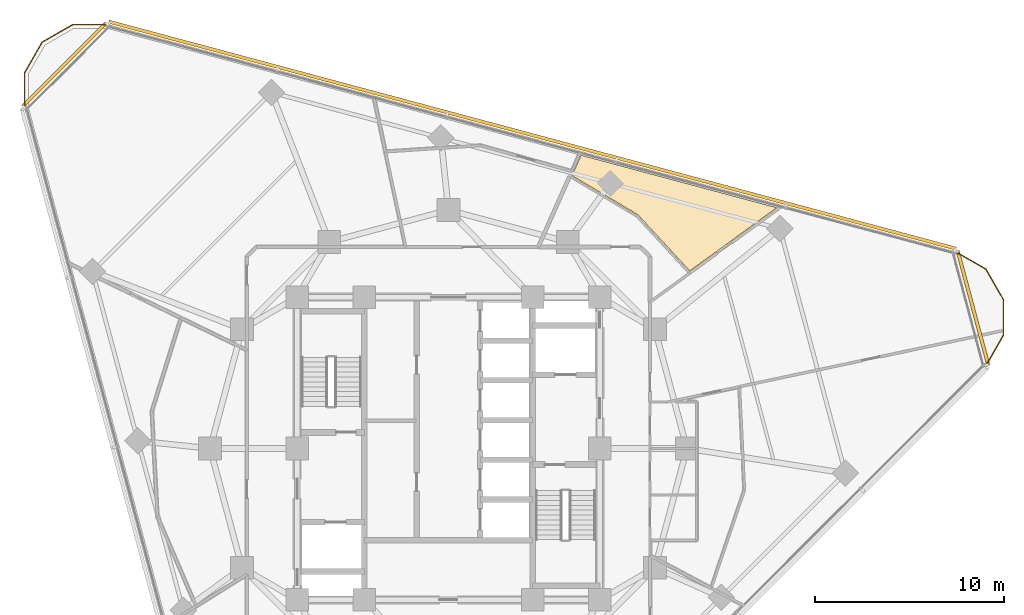
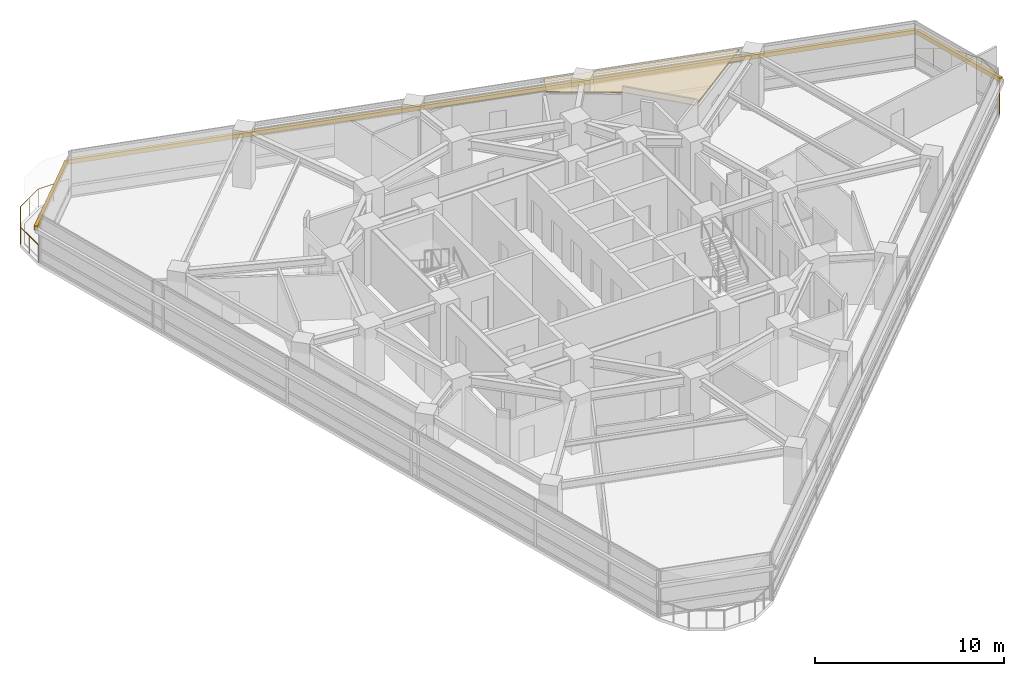
# One storey, part 14 of 14: 3 shading devices, 2 railings, 1 covering.
"""IFC4 building model written with IfcOpenShell, lengths in metres."""

from ifc_helpers import new_model, si_unit, direction, frame, origin, origin_2d, place, context, subcontext, project, spatial, polyline, rectangle, circle, outline, extrude, material, layer, layer_set, type_object, element, save


model = new_model("IFC4")

# Units and contexts
model_context = context("Model", 3, precision=1e-05, world=origin(), true_north=direction((0.0, 1.0)))
body_context = subcontext(model_context, "Body", "Model", "MODEL_VIEW")
ifc_project = project(units=[si_unit("LENGTHUNIT", "METRE"), si_unit("AREAUNIT", "SQUARE_METRE"), si_unit("VOLUMEUNIT", "CUBIC_METRE"), si_unit("PLANEANGLEUNIT", "RADIAN"), si_unit("MASSUNIT", "GRAM", prefix="KILO")], contexts=[model_context])

# Site, building, storey
site_placement = place(None, origin())
site = spatial("IfcSite", under=ifc_project, at=site_placement, CompositionType="ELEMENT")
building_placement = place(site_placement, origin())
building = spatial("IfcBuilding", under=site, at=building_placement, Name="Terralouvre Media Tower", CompositionType="ELEMENT")
storey_placement = place(building_placement, frame((0.0, 0.0, 184.199951171875)))
storey = spatial("IfcBuildingStorey", under=building, at=storey_placement, Name="L47", CompositionType="ELEMENT", Elevation=184.199951171875)

# Covering
ifc_material_1 = material(Name="Perforated aluminium acoustic ceiling baffle", Category="aluminium")
ifc_layer_1 = layer(ifc_material_1, 0.0400390625, Name="Perforated Acoustic Metal Tile Ceiling CL-AC1")
ifc_layer_set_1 = layer_set([ifc_layer_1], Name="Perforated aluminium acoustic ceiling baffle")
covering_type = type_object("IfcCoveringType", Name="Perforated Acoustic Metal Tile Ceiling CL-AC1", PredefinedType="CEILING", material=ifc_layer_set_1)
covering_placement = place(storey_placement, frame((0.0, 0.0, 2.97998046875), z_axis=(0.0, 0.0, 1.0), x_axis=(0.707106781187, 0.707106781187, 0.0)))
element("IfcCovering", 1, at=covering_placement, inside=storey, type_object=covering_type, Name="L47 Program Schedule Briefing Room 9 Acoustic Ceiling", PredefinedType="CEILING", context=body_context, shape_type="SweptSolid", body=[
    extrude(outline(polyline([(14.818115234375, 5.581298828125), (15.810302734375, 1.676513671875), (15.81201171875, 1.6669921875), (15.813232421875, 1.657470703125), (15.813232421875, 1.64794921875), (15.65478515625, -2.3779296875), (21.26513671875, -3.266845703125), (15.914794921875, 6.001708984375), (15.00390625, 5.652587890625), (14.818115234375, 5.581298828125)])), origin(), (0.0, 0.0, 1.0), 0.0400390625),
])

# Railings
ifc_material_2 = material(Name="Stainless steel 316 handrail and balustrade", Category="steel")
ifc_layer_2 = layer(ifc_material_2, 0.06005859375, Name="Roof Edge Safety Guardrail GR-ROOF1")
ifc_layer_set_2 = layer_set([ifc_layer_2], Name="Stainless steel 316 handrail and balustrade")
railing_type = type_object("IfcRailingType", Name="Roof Edge Safety Guardrail GR-ROOF1", PredefinedType="GUARDRAIL", material=ifc_layer_set_2)
railing_1_placement = place(storey_placement, frame((28.39892578125, 4.365478515625, 0.0)))
element("IfcRailing", 2, at=railing_1_placement, inside=storey, type_object=railing_type, Name="L47 Wind-Corner Perimeter Safety Guardrail C1", PredefinedType="GUARDRAIL", context=body_context, shape_type="SweptSolid", body=[
    extrude(circle(Radius=0.02099609375, at=origin_2d()), frame((0.0, 0.0, 1.12890625), z_axis=(0.500203770141, 0.86590772507, 0.0), x_axis=(-0.86590772507, 0.500203770141, 0.0)), (0.0, 0.0, 1.0), 1.873291015625),
    extrude(circle(Radius=0.02099609375, at=origin_2d()), frame((0.93701171875, 1.6220703125, 1.12890625), z_axis=(0.000130344107, 0.999999991505, 0.0), x_axis=(-0.999999991505, 0.000130344107, 0.0)), (0.0, 0.0, 1.0), 1.873046875),
    extrude(circle(Radius=0.02099609375, at=origin_2d()), frame((0.937255859375, 3.4951171875, 1.12890625), z_axis=(-0.500162491388, 0.86593156901, 0.0), x_axis=(-0.86593156901, -0.500162491388, 0.0)), (0.0, 0.0, 1.0), 1.873046875),
    extrude(circle(Radius=0.02099609375, at=origin_2d()), frame((0.00048828125, 5.116943359375, 1.12890625), z_axis=(-0.866142189219, 0.499797667116, 0.0), x_axis=(-0.499797667116, -0.866142189219, 0.0)), (0.0, 0.0, 1.0), 1.873291015625),
    extrude(circle(Radius=0.01904296875, at=origin_2d()), origin(), (0.0, 0.0, 1.0), 1.10791015625),
    extrude(circle(Radius=0.01904296875, at=origin_2d()), frame((0.468505859375, 0.81103515625, 0.0)), (0.0, 0.0, 1.0), 1.10791015625),
    extrude(circle(Radius=0.01904296875, at=origin_2d()), frame((0.93701171875, 1.6220703125, 0.0)), (0.0, 0.0, 1.0), 1.10791015625),
    extrude(circle(Radius=0.01904296875, at=origin_2d()), frame((0.93701171875, 2.55859375, 0.0)), (0.0, 0.0, 1.0), 1.10791015625),
    extrude(circle(Radius=0.01904296875, at=origin_2d()), frame((0.937255859375, 3.4951171875, 0.0)), (0.0, 0.0, 1.0), 1.10791015625),
    extrude(circle(Radius=0.01904296875, at=origin_2d()), frame((0.46875, 4.30615234375, 0.0)), (0.0, 0.0, 1.0), 1.10791015625),
    extrude(circle(Radius=0.01904296875, at=origin_2d()), frame((0.00048828125, 5.116943359375, 0.0)), (0.0, 0.0, 1.0), 1.10791015625),
    extrude(circle(Radius=0.01904296875, at=origin_2d()), frame((-0.810791015625, 5.5849609375, 0.0)), (0.0, 0.0, 1.0), 1.10791015625),
    extrude(circle(Radius=0.01904296875, at=origin_2d()), frame((-1.6220703125, 6.05322265625, 0.0)), (0.0, 0.0, 1.0), 1.10791015625),
])
railing_2_placement = place(storey_placement, frame((-17.97998046875, 22.411376953125, 0.0)))
element("IfcRailing", 3, at=railing_2_placement, inside=storey, type_object=railing_type, Name="L47 Wind-Corner Perimeter Safety Guardrail C2", PredefinedType="GUARDRAIL", context=body_context, shape_type="SweptSolid", body=[
    extrude(circle(Radius=0.02099609375, at=origin_2d()), frame((0.0, 0.0, 1.12890625), z_axis=(-0.99999996603, 0.000260654233, 0.0), x_axis=(-0.000260654233, -0.99999996603, 0.0)), (0.0, 0.0, 1.0), 1.873291015625),
    extrude(circle(Radius=0.02099609375, at=origin_2d()), frame((-1.873291015625, 0.00048828125, 1.12890625), z_axis=(-0.866109628736, -0.499854089722, 0.0), x_axis=(0.499854089722, -0.866109628736, 0.0)), (0.0, 0.0, 1.0), 1.873046875),
    extrude(circle(Radius=0.02099609375, at=origin_2d()), frame((-3.49560546875, -0.935791015625, 1.12890625), z_axis=(-0.499854089722, -0.866109628736, 0.0), x_axis=(0.866109628736, -0.499854089722, 0.0)), (0.0, 0.0, 1.0), 1.873046875),
    extrude(circle(Radius=0.02099609375, at=origin_2d()), frame((-4.431884765625, -2.55810546875, 1.12890625), z_axis=(0.000260654233, -0.99999996603, 0.0), x_axis=(0.99999996603, 0.000260654233, 0.0)), (0.0, 0.0, 1.0), 1.873291015625),
    extrude(circle(Radius=0.01904296875, at=origin_2d()), origin(), (0.0, 0.0, 1.0), 1.10791015625),
    extrude(circle(Radius=0.01904296875, at=origin_2d()), frame((-0.9365234375, 0.000244140625, 0.0)), (0.0, 0.0, 1.0), 1.10791015625),
    extrude(circle(Radius=0.01904296875, at=origin_2d()), frame((-1.873291015625, 0.00048828125, 0.0)), (0.0, 0.0, 1.0), 1.10791015625),
    extrude(circle(Radius=0.01904296875, at=origin_2d()), frame((-2.6845703125, -0.4677734375, 0.0)), (0.0, 0.0, 1.0), 1.10791015625),
    extrude(circle(Radius=0.01904296875, at=origin_2d()), frame((-3.49560546875, -0.935791015625, 0.0)), (0.0, 0.0, 1.0), 1.10791015625),
    extrude(circle(Radius=0.01904296875, at=origin_2d()), frame((-3.9638671875, -1.7470703125, 0.0)), (0.0, 0.0, 1.0), 1.10791015625),
    extrude(circle(Radius=0.01904296875, at=origin_2d()), frame((-4.431884765625, -2.55810546875, 0.0)), (0.0, 0.0, 1.0), 1.10791015625),
    extrude(circle(Radius=0.01904296875, at=origin_2d()), frame((-4.431640625, -3.49462890625, 0.0)), (0.0, 0.0, 1.0), 1.10791015625),
    extrude(circle(Radius=0.01904296875, at=origin_2d()), frame((-4.431396484375, -4.431396484375, 0.0)), (0.0, 0.0, 1.0), 1.10791015625),
])

# Shading devices
ifc_material_3 = material(Name="Extruded terracotta baguette sunshade louvres", Category="masonry")
shading_device_type = type_object("IfcShadingDeviceType", Name="Terracotta Baguette Sunshade Louvre Screen TB-LV1", PredefinedType="USERDEFINED", material=ifc_material_3)
shading_device_placement = place(storey_placement, frame((4.43701171875, 16.558837890625, 2.02392578125), z_axis=(0.0, 0.0, 1.0), x_axis=(-0.96592582942, 0.25881903342, 0.0)))
element("IfcShadingDevice", 4, at=shading_device_placement, inside=storey, type_object=shading_device_type, Name="CW-L47-F1 Terracotta Baguette Sunshade Louvre", ObjectType="BAGUETTE", PredefinedType="USERDEFINED", context=body_context, shape_type="SweptSolid", body=[
    extrude(rectangle(XDim=46.360107421875, YDim=0.179931640625, at=origin_2d()), origin(), (0.0, 0.0, 1.0), 0.280029296875),
])
for number, where, z_axis, x_axis, name in (
    (5, (27.71826171875, 7.427001953125, 2.02392578125), (0.0, 0.0, 1.0), (-0.258818728144, 0.965925911218, 0.0), "CW-L47-C1 Terracotta Baguette Sunshade Louvre"),
    (6, (-20.291015625, 20.291015625, 2.02392578125), (0.0, 0.0, 1.0), (-0.707106781187, -0.707106781187, 0.0), "CW-L47-C2 Terracotta Baguette Sunshade Louvre"),
):
    element("IfcShadingDevice", number, at=place(storey_placement, frame(where, z_axis=z_axis, x_axis=x_axis)), inside=storey, type_object=shading_device_type, Name=name, ObjectType="BAGUETTE", PredefinedType="USERDEFINED", context=body_context, shape_type="SweptSolid", body=[
        extrude(rectangle(XDim=6.27001953125, YDim=0.179931640625, at=origin_2d()), origin(), (0.0, 0.0, 1.0), 0.280029296875),
    ])

save(model, "model.ifc")
